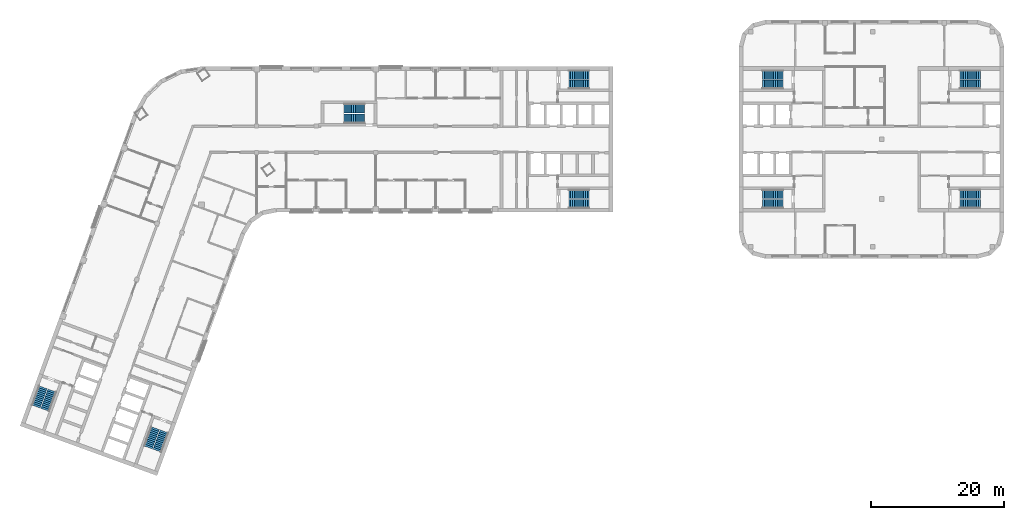
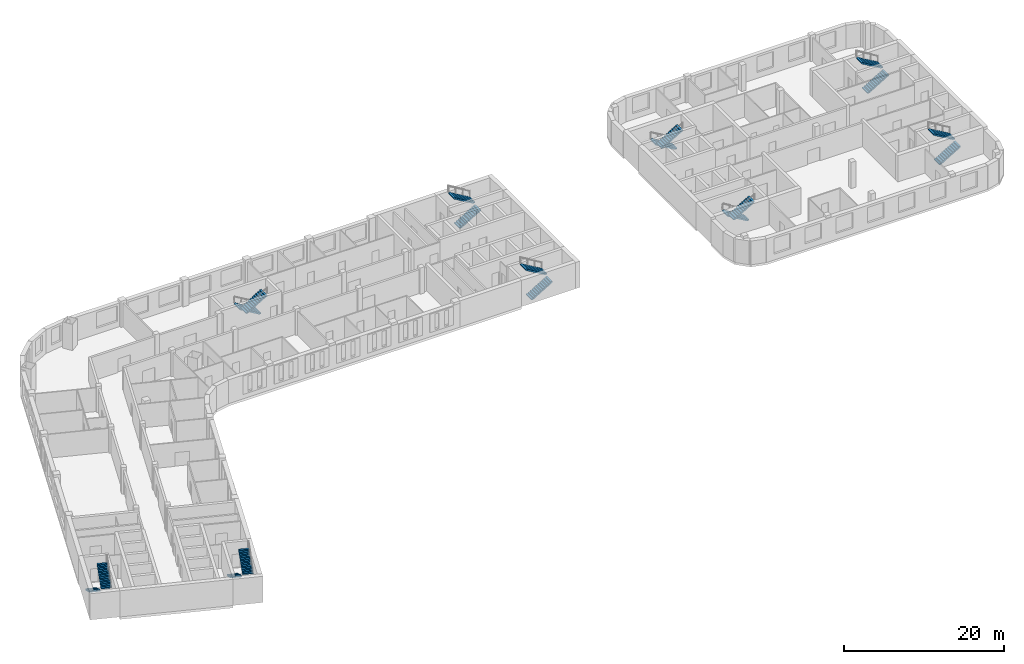
# One storey, part 10 of 12: 18 stair flights, 9 elements without a shape of their own.
"""IFC4 building model written with IfcOpenShell, lengths in metres."""

from ifc_helpers import new_model, si_unit, direction, frame, origin, place, context, subcontext, project, spatial, polyline, outline, extrude, material, type_object, element, aggregate, save


model = new_model("IFC4")

# Units and contexts
model_context = context("Model", 3, precision=1e-05, world=origin(), true_north=direction((0.0, 1.0)))
body_context = subcontext(model_context, "Body", "Model", "MODEL_VIEW")
ifc_project = project(units=[si_unit("LENGTHUNIT", "METRE"), si_unit("AREAUNIT", "SQUARE_METRE"), si_unit("VOLUMEUNIT", "CUBIC_METRE"), si_unit("PLANEANGLEUNIT", "RADIAN"), si_unit("MASSUNIT", "GRAM", prefix="KILO")], contexts=[model_context])

# Site, building, storey
site_placement = place(None, origin())
site = spatial("IfcSite", under=ifc_project, at=site_placement, CompositionType="ELEMENT")
building_placement = place(site_placement, origin())
building = spatial("IfcBuilding", under=site, at=building_placement, Name="Skarvind Civic Tower", CompositionType="ELEMENT")
storey_placement = place(building_placement, frame((0.0, 0.0, 85.0)))
storey = spatial("IfcBuildingStorey", under=building, at=storey_placement, Name="L19", CompositionType="ELEMENT", Elevation=85.0)

# Stair, stair flights
ifc_material = material(Name="Concrete C40/50", Category="concrete")
stair_type_1 = type_object("IfcStairType", Name="Exit stair 1450, half-turn, concrete", PredefinedType="HALF_TURN_STAIR", material=ifc_material)
stair_1_placement = place(storey_placement, origin())
stair_1 = element("IfcStair", 1, at=stair_1_placement, inside=storey, type_object=stair_type_1, Name="Exit stair CM", PredefinedType="HALF_TURN_STAIR")
stair_flight_type_1 = type_object("IfcStairFlightType", Name="Stair flight 1450, concrete", PredefinedType="STRAIGHT", material=ifc_material)
stair_flight_1_placement = place(storey_placement, frame((70.550048828125, 132.675048828125, 0.0), z_axis=(0.0, 0.0, 1.0), x_axis=(-1.0, 0.0, 0.0)))
stair_flight_1 = element("IfcStairFlight", 2, at=stair_flight_1_placement, type_object=stair_flight_type_1, Name="ST-CM flight 1", NumberOfRisers=12, NumberOfTreads=11, PredefinedType="STRAIGHT", RiserHeight=0.166666667, TreadLength=0.28, context=body_context, shape_type="SweptSolid", body=[
    extrude(outline(polyline([(0.0, 0.0), (0.0, 0.166748046875), (0.280029296875, 0.166748046875), (0.280029296875, 0.333251953125), (0.56005859375, 0.333251953125), (0.56005859375, 0.5), (0.840087890625, 0.5), (0.840087890625, 0.666748046875), (1.1201171875, 0.666748046875), (1.1201171875, 0.833251953125), (1.39990234375, 0.833251953125), (1.39990234375, 1.0), (1.679931640625, 1.0), (1.679931640625, 1.166748046875), (1.9599609375, 1.166748046875), (1.9599609375, 1.333251953125), (2.239990234375, 1.333251953125), (2.239990234375, 1.5), (2.52001953125, 1.5), (2.52001953125, 1.666748046875), (2.800048828125, 1.666748046875), (2.800048828125, 1.833251953125), (3.080078125, 1.833251953125), (3.080078125, 2.0), (3.080078125, 1.658935546875), (0.29296875, 0.0), (0.0, 0.0)])), frame((0.0, 0.72509765625, 0.0), z_axis=(0.0, -1.0, 0.0), x_axis=(1.0, 0.0, 0.0)), (0.0, 0.0, 1.0), 1.449951171875),
])
stair_flight_2_placement = place(storey_placement, frame((67.469970703125, 131.125, 2.0), z_axis=(0.0, 0.0, 1.0), x_axis=(1.0, 0.0, 0.0)))
stair_flight_2 = element("IfcStairFlight", 3, at=stair_flight_2_placement, type_object=stair_flight_type_1, Name="ST-CM flight 2", NumberOfRisers=12, NumberOfTreads=11, PredefinedType="STRAIGHT", RiserHeight=0.166666667, TreadLength=0.28, context=body_context, shape_type="SweptSolid", body=[
    extrude(outline(polyline([(0.0, 0.0), (0.0, 0.166748046875), (0.280029296875, 0.166748046875), (0.280029296875, 0.333251953125), (0.56005859375, 0.333251953125), (0.56005859375, 0.5), (0.840087890625, 0.5), (0.840087890625, 0.666748046875), (1.1201171875, 0.666748046875), (1.1201171875, 0.833251953125), (1.39990234375, 0.833251953125), (1.39990234375, 1.0), (1.679931640625, 1.0), (1.679931640625, 1.166748046875), (1.9599609375, 1.166748046875), (1.9599609375, 1.333251953125), (2.239990234375, 1.333251953125), (2.239990234375, 1.5), (2.52001953125, 1.5), (2.52001953125, 1.666748046875), (2.800048828125, 1.666748046875), (2.800048828125, 1.833251953125), (3.080078125, 1.833251953125), (3.080078125, 2.0), (3.080078125, 1.658935546875), (0.29296875, 0.0), (0.0, 0.0)])), frame((0.0, 0.72509765625, 0.0), z_axis=(0.0, -1.0, 0.0), x_axis=(1.0, 0.0, 0.0)), (0.0, 0.0, 1.0), 1.449951171875),
])
aggregate(stair_1, [stair_flight_1, stair_flight_2])

stair_type_2 = type_object("IfcStairType", Name="Exit stair, half-turn, concrete", PredefinedType="HALF_TURN_STAIR", material=ifc_material)
stair_2_placement = place(storey_placement, origin())
stair_2 = element("IfcStair", 4, at=stair_2_placement, inside=storey, type_object=stair_type_2, Name="Exit stair C1S", PredefinedType="HALF_TURN_STAIR")
stair_flight_type_2 = type_object("IfcStairFlightType", Name="Stair flight, concrete", PredefinedType="STRAIGHT", material=ifc_material)
stair_flight_3_placement = place(storey_placement, frame((101.35009765625, 136.27490234375, 0.0), z_axis=(0.0, 0.0, 1.0), x_axis=(1.0, 0.0, 0.0)))
stair_flight_3 = element("IfcStairFlight", 5, at=stair_flight_3_placement, type_object=stair_flight_type_2, Name="ST-C1S flight 1", NumberOfRisers=12, NumberOfTreads=11, PredefinedType="STRAIGHT", RiserHeight=0.166666667, TreadLength=0.28, context=body_context, shape_type="SweptSolid", body=[
    extrude(outline(polyline([(0.0, 0.0), (0.0, 0.166748046875), (0.280029296875, 0.166748046875), (0.280029296875, 0.333251953125), (0.56005859375, 0.333251953125), (0.56005859375, 0.5), (0.840087890625, 0.5), (0.840087890625, 0.666748046875), (1.1201171875, 0.666748046875), (1.1201171875, 0.833251953125), (1.39990234375, 0.833251953125), (1.39990234375, 1.0), (1.679931640625, 1.0), (1.679931640625, 1.166748046875), (1.9599609375, 1.166748046875), (1.9599609375, 1.333251953125), (2.239990234375, 1.333251953125), (2.239990234375, 1.5), (2.52001953125, 1.5), (2.52001953125, 1.666748046875), (2.800048828125, 1.666748046875), (2.800048828125, 1.833251953125), (3.080078125, 1.833251953125), (3.080078125, 2.0), (3.080078125, 1.658935546875), (0.29296875, 0.0), (0.0, 0.0)])), frame((0.0, 0.675048828125, 0.0), z_axis=(0.0, -1.0, 0.0), x_axis=(1.0, 0.0, 0.0)), (0.0, 0.0, 1.0), 1.35009765625),
])
stair_flight_4_placement = place(storey_placement, frame((104.429931640625, 137.72509765625, 2.0), z_axis=(0.0, 0.0, 1.0), x_axis=(-1.0, 0.0, 0.0)))
stair_flight_4 = element("IfcStairFlight", 6, at=stair_flight_4_placement, type_object=stair_flight_type_2, Name="ST-C1S flight 2", NumberOfRisers=12, NumberOfTreads=11, PredefinedType="STRAIGHT", RiserHeight=0.166666667, TreadLength=0.28, context=body_context, shape_type="SweptSolid", body=[
    extrude(outline(polyline([(0.0, 0.0), (0.0, 0.166748046875), (0.280029296875, 0.166748046875), (0.280029296875, 0.333251953125), (0.56005859375, 0.333251953125), (0.56005859375, 0.5), (0.840087890625, 0.5), (0.840087890625, 0.666748046875), (1.1201171875, 0.666748046875), (1.1201171875, 0.833251953125), (1.39990234375, 0.833251953125), (1.39990234375, 1.0), (1.679931640625, 1.0), (1.679931640625, 1.166748046875), (1.9599609375, 1.166748046875), (1.9599609375, 1.333251953125), (2.239990234375, 1.333251953125), (2.239990234375, 1.5), (2.52001953125, 1.5), (2.52001953125, 1.666748046875), (2.800048828125, 1.666748046875), (2.800048828125, 1.833251953125), (3.080078125, 1.833251953125), (3.080078125, 2.0), (3.080078125, 1.658935546875), (0.29296875, 0.0), (0.0, 0.0)])), frame((0.0, 0.675048828125, 0.0), z_axis=(0.0, -1.0, 0.0), x_axis=(1.0, 0.0, 0.0)), (0.0, 0.0, 1.0), 1.35009765625),
])
aggregate(stair_2, [stair_flight_3, stair_flight_4])

stair_3_placement = place(storey_placement, origin())
stair_3 = element("IfcStair", 7, at=stair_3_placement, inside=storey, type_object=stair_type_2, Name="Exit stair C1N", PredefinedType="HALF_TURN_STAIR")
stair_flight_5_placement = place(storey_placement, frame((101.35009765625, 118.27490234375, 0.0), z_axis=(0.0, 0.0, 1.0), x_axis=(1.0, 0.0, 0.0)))
stair_flight_5 = element("IfcStairFlight", 8, at=stair_flight_5_placement, type_object=stair_flight_type_2, Name="ST-C1N flight 1", NumberOfRisers=12, NumberOfTreads=11, PredefinedType="STRAIGHT", RiserHeight=0.166666667, TreadLength=0.28, context=body_context, shape_type="SweptSolid", body=[
    extrude(outline(polyline([(0.0, 0.0), (0.0, 0.166748046875), (0.280029296875, 0.166748046875), (0.280029296875, 0.333251953125), (0.56005859375, 0.333251953125), (0.56005859375, 0.5), (0.840087890625, 0.5), (0.840087890625, 0.666748046875), (1.1201171875, 0.666748046875), (1.1201171875, 0.833251953125), (1.39990234375, 0.833251953125), (1.39990234375, 1.0), (1.679931640625, 1.0), (1.679931640625, 1.166748046875), (1.9599609375, 1.166748046875), (1.9599609375, 1.333251953125), (2.239990234375, 1.333251953125), (2.239990234375, 1.5), (2.52001953125, 1.5), (2.52001953125, 1.666748046875), (2.800048828125, 1.666748046875), (2.800048828125, 1.833251953125), (3.080078125, 1.833251953125), (3.080078125, 2.0), (3.080078125, 1.658935546875), (0.29296875, 0.0), (0.0, 0.0)])), frame((0.0, 0.675048828125, 0.0), z_axis=(0.0, -1.0, 0.0), x_axis=(1.0, 0.0, 0.0)), (0.0, 0.0, 1.0), 1.35009765625),
])
stair_flight_6_placement = place(storey_placement, frame((104.429931640625, 119.72509765625, 2.0), z_axis=(0.0, 0.0, 1.0), x_axis=(-1.0, 0.0, 0.0)))
stair_flight_6 = element("IfcStairFlight", 9, at=stair_flight_6_placement, type_object=stair_flight_type_2, Name="ST-C1N flight 2", NumberOfRisers=12, NumberOfTreads=11, PredefinedType="STRAIGHT", RiserHeight=0.166666667, TreadLength=0.28, context=body_context, shape_type="SweptSolid", body=[
    extrude(outline(polyline([(0.0, 0.0), (0.0, 0.166748046875), (0.280029296875, 0.166748046875), (0.280029296875, 0.333251953125), (0.56005859375, 0.333251953125), (0.56005859375, 0.5), (0.840087890625, 0.5), (0.840087890625, 0.666748046875), (1.1201171875, 0.666748046875), (1.1201171875, 0.833251953125), (1.39990234375, 0.833251953125), (1.39990234375, 1.0), (1.679931640625, 1.0), (1.679931640625, 1.166748046875), (1.9599609375, 1.166748046875), (1.9599609375, 1.333251953125), (2.239990234375, 1.333251953125), (2.239990234375, 1.5), (2.52001953125, 1.5), (2.52001953125, 1.666748046875), (2.800048828125, 1.666748046875), (2.800048828125, 1.833251953125), (3.080078125, 1.833251953125), (3.080078125, 2.0), (3.080078125, 1.658935546875), (0.29296875, 0.0), (0.0, 0.0)])), frame((0.0, 0.675048828125, 0.0), z_axis=(0.0, -1.0, 0.0), x_axis=(1.0, 0.0, 0.0)), (0.0, 0.0, 1.0), 1.35009765625),
])
aggregate(stair_3, [stair_flight_5, stair_flight_6])

stair_4_placement = place(storey_placement, origin())
stair_4 = element("IfcStair", 10, at=stair_4_placement, inside=storey, type_object=stair_type_2, Name="Exit stair C2S", PredefinedType="HALF_TURN_STAIR")
stair_flight_7_placement = place(storey_placement, frame((38.949462890625, 84.43408203125, 0.0), z_axis=(0.0, 0.0, 1.0), x_axis=(-0.342020143326, -0.939692620786, 0.0)))
stair_flight_7 = element("IfcStairFlight", 11, at=stair_flight_7_placement, type_object=stair_flight_type_2, Name="ST-C2S flight 1", NumberOfRisers=12, NumberOfTreads=11, PredefinedType="STRAIGHT", RiserHeight=0.166666667, TreadLength=0.28, context=body_context, shape_type="SweptSolid", body=[
    extrude(outline(polyline([(0.0, 0.0), (0.0, 0.166748046875), (0.280029296875, 0.166748046875), (0.280029296875, 0.333251953125), (0.56005859375, 0.333251953125), (0.56005859375, 0.5), (0.840087890625, 0.5), (0.840087890625, 0.666748046875), (1.1201171875, 0.666748046875), (1.1201171875, 0.833251953125), (1.39990234375, 0.833251953125), (1.39990234375, 1.0), (1.679931640625, 1.0), (1.679931640625, 1.166748046875), (1.9599609375, 1.166748046875), (1.9599609375, 1.333251953125), (2.239990234375, 1.333251953125), (2.239990234375, 1.5), (2.52001953125, 1.5), (2.52001953125, 1.666748046875), (2.800048828125, 1.666748046875), (2.800048828125, 1.833251953125), (3.080078125, 1.833251953125), (3.080078125, 2.0), (3.080078125, 1.658935546875), (0.29296875, 0.0), (0.0, 0.0)])), frame((0.0, 0.675048828125, 0.0), z_axis=(0.0, -1.0, 0.0), x_axis=(1.0, 0.0, 0.0)), (0.0, 0.0, 1.0), 1.35009765625),
])
stair_flight_8_placement = place(storey_placement, frame((39.258544921875, 81.0439453125, 2.0), z_axis=(0.0, 0.0, 1.0), x_axis=(0.342020143326, 0.939692620786, 0.0)))
stair_flight_8 = element("IfcStairFlight", 12, at=stair_flight_8_placement, type_object=stair_flight_type_2, Name="ST-C2S flight 2", NumberOfRisers=12, NumberOfTreads=11, PredefinedType="STRAIGHT", RiserHeight=0.166666667, TreadLength=0.28, context=body_context, shape_type="SweptSolid", body=[
    extrude(outline(polyline([(0.0, 0.0), (0.0, 0.166748046875), (0.280029296875, 0.166748046875), (0.280029296875, 0.333251953125), (0.56005859375, 0.333251953125), (0.56005859375, 0.5), (0.840087890625, 0.5), (0.840087890625, 0.666748046875), (1.1201171875, 0.666748046875), (1.1201171875, 0.833251953125), (1.39990234375, 0.833251953125), (1.39990234375, 1.0), (1.679931640625, 1.0), (1.679931640625, 1.166748046875), (1.9599609375, 1.166748046875), (1.9599609375, 1.333251953125), (2.239990234375, 1.333251953125), (2.239990234375, 1.5), (2.52001953125, 1.5), (2.52001953125, 1.666748046875), (2.800048828125, 1.666748046875), (2.800048828125, 1.833251953125), (3.080078125, 1.833251953125), (3.080078125, 2.0), (3.080078125, 1.658935546875), (0.29296875, 0.0), (0.0, 0.0)])), frame((0.0, 0.675048828125, 0.0), z_axis=(0.0, -1.0, 0.0), x_axis=(1.0, 0.0, 0.0)), (0.0, 0.0, 1.0), 1.35009765625),
])
aggregate(stair_4, [stair_flight_7, stair_flight_8])

stair_5_placement = place(storey_placement, origin())
stair_5 = element("IfcStair", 13, at=stair_5_placement, inside=storey, type_object=stair_type_2, Name="Exit stair C2N", PredefinedType="HALF_TURN_STAIR")
stair_flight_9_placement = place(storey_placement, frame((22.034912109375, 90.590576171875, 0.0), z_axis=(0.0, 0.0, 1.0), x_axis=(-0.342020143326, -0.939692620786, 0.0)))
stair_flight_9 = element("IfcStairFlight", 14, at=stair_flight_9_placement, type_object=stair_flight_type_2, Name="ST-C2N flight 1", NumberOfRisers=12, NumberOfTreads=11, PredefinedType="STRAIGHT", RiserHeight=0.166666667, TreadLength=0.28, context=body_context, shape_type="SweptSolid", body=[
    extrude(outline(polyline([(0.0, 0.0), (0.0, 0.166748046875), (0.280029296875, 0.166748046875), (0.280029296875, 0.333251953125), (0.56005859375, 0.333251953125), (0.56005859375, 0.5), (0.840087890625, 0.5), (0.840087890625, 0.666748046875), (1.1201171875, 0.666748046875), (1.1201171875, 0.833251953125), (1.39990234375, 0.833251953125), (1.39990234375, 1.0), (1.679931640625, 1.0), (1.679931640625, 1.166748046875), (1.9599609375, 1.166748046875), (1.9599609375, 1.333251953125), (2.239990234375, 1.333251953125), (2.239990234375, 1.5), (2.52001953125, 1.5), (2.52001953125, 1.666748046875), (2.800048828125, 1.666748046875), (2.800048828125, 1.833251953125), (3.080078125, 1.833251953125), (3.080078125, 2.0), (3.080078125, 1.658935546875), (0.29296875, 0.0), (0.0, 0.0)])), frame((0.0, 0.675048828125, 0.0), z_axis=(0.0, -1.0, 0.0), x_axis=(1.0, 0.0, 0.0)), (0.0, 0.0, 1.0), 1.35009765625),
])
stair_flight_10_placement = place(storey_placement, frame((22.343994140625, 87.2001953125, 2.0), z_axis=(0.0, 0.0, 1.0), x_axis=(0.342020143326, 0.939692620786, 0.0)))
stair_flight_10 = element("IfcStairFlight", 15, at=stair_flight_10_placement, type_object=stair_flight_type_2, Name="ST-C2N flight 2", NumberOfRisers=12, NumberOfTreads=11, PredefinedType="STRAIGHT", RiserHeight=0.166666667, TreadLength=0.28, context=body_context, shape_type="SweptSolid", body=[
    extrude(outline(polyline([(0.0, 0.0), (0.0, 0.166748046875), (0.280029296875, 0.166748046875), (0.280029296875, 0.333251953125), (0.56005859375, 0.333251953125), (0.56005859375, 0.5), (0.840087890625, 0.5), (0.840087890625, 0.666748046875), (1.1201171875, 0.666748046875), (1.1201171875, 0.833251953125), (1.39990234375, 0.833251953125), (1.39990234375, 1.0), (1.679931640625, 1.0), (1.679931640625, 1.166748046875), (1.9599609375, 1.166748046875), (1.9599609375, 1.333251953125), (2.239990234375, 1.333251953125), (2.239990234375, 1.5), (2.52001953125, 1.5), (2.52001953125, 1.666748046875), (2.800048828125, 1.666748046875), (2.800048828125, 1.833251953125), (3.080078125, 1.833251953125), (3.080078125, 2.0), (3.080078125, 1.658935546875), (0.29296875, 0.0), (0.0, 0.0)])), frame((0.0, 0.675048828125, 0.0), z_axis=(0.0, -1.0, 0.0), x_axis=(1.0, 0.0, 0.0)), (0.0, 0.0, 1.0), 1.35009765625),
])
aggregate(stair_5, [stair_flight_9, stair_flight_10])

stair_6_placement = place(storey_placement, origin())
stair_6 = element("IfcStair", 16, at=stair_6_placement, inside=storey, type_object=stair_type_2, Name="Exit stair CAS", PredefinedType="HALF_TURN_STAIR")
stair_flight_11_placement = place(storey_placement, frame((133.64990234375, 119.72509765625, 0.0), z_axis=(0.0, 0.0, 1.0), x_axis=(-1.0, 0.0, 0.0)))
stair_flight_11 = element("IfcStairFlight", 17, at=stair_flight_11_placement, type_object=stair_flight_type_2, Name="ST-CAS flight 1", NumberOfRisers=12, NumberOfTreads=11, PredefinedType="STRAIGHT", RiserHeight=0.166666667, TreadLength=0.28, context=body_context, shape_type="SweptSolid", body=[
    extrude(outline(polyline([(0.0, 0.0), (0.0, 0.166748046875), (0.280029296875, 0.166748046875), (0.280029296875, 0.333251953125), (0.56005859375, 0.333251953125), (0.56005859375, 0.5), (0.840087890625, 0.5), (0.840087890625, 0.666748046875), (1.1201171875, 0.666748046875), (1.1201171875, 0.833251953125), (1.39990234375, 0.833251953125), (1.39990234375, 1.0), (1.679931640625, 1.0), (1.679931640625, 1.166748046875), (1.9599609375, 1.166748046875), (1.9599609375, 1.333251953125), (2.239990234375, 1.333251953125), (2.239990234375, 1.5), (2.52001953125, 1.5), (2.52001953125, 1.666748046875), (2.800048828125, 1.666748046875), (2.800048828125, 1.833251953125), (3.080078125, 1.833251953125), (3.080078125, 2.0), (3.080078125, 1.658935546875), (0.29296875, 0.0), (0.0, 0.0)])), frame((0.0, 0.675048828125, 0.0), z_axis=(0.0, -1.0, 0.0), x_axis=(1.0, 0.0, 0.0)), (0.0, 0.0, 1.0), 1.35009765625),
])
stair_flight_12_placement = place(storey_placement, frame((130.570068359375, 118.27490234375, 2.0), z_axis=(0.0, 0.0, 1.0), x_axis=(1.0, 0.0, 0.0)))
stair_flight_12 = element("IfcStairFlight", 18, at=stair_flight_12_placement, type_object=stair_flight_type_2, Name="ST-CAS flight 2", NumberOfRisers=12, NumberOfTreads=11, PredefinedType="STRAIGHT", RiserHeight=0.166666667, TreadLength=0.28, context=body_context, shape_type="SweptSolid", body=[
    extrude(outline(polyline([(0.0, 0.0), (0.0, 0.166748046875), (0.280029296875, 0.166748046875), (0.280029296875, 0.333251953125), (0.56005859375, 0.333251953125), (0.56005859375, 0.5), (0.840087890625, 0.5), (0.840087890625, 0.666748046875), (1.1201171875, 0.666748046875), (1.1201171875, 0.833251953125), (1.39990234375, 0.833251953125), (1.39990234375, 1.0), (1.679931640625, 1.0), (1.679931640625, 1.166748046875), (1.9599609375, 1.166748046875), (1.9599609375, 1.333251953125), (2.239990234375, 1.333251953125), (2.239990234375, 1.5), (2.52001953125, 1.5), (2.52001953125, 1.666748046875), (2.800048828125, 1.666748046875), (2.800048828125, 1.833251953125), (3.080078125, 1.833251953125), (3.080078125, 2.0), (3.080078125, 1.658935546875), (0.29296875, 0.0), (0.0, 0.0)])), frame((0.0, 0.675048828125, 0.0), z_axis=(0.0, -1.0, 0.0), x_axis=(1.0, 0.0, 0.0)), (0.0, 0.0, 1.0), 1.35009765625),
])
aggregate(stair_6, [stair_flight_11, stair_flight_12])

stair_7_placement = place(storey_placement, origin())
stair_7 = element("IfcStair", 19, at=stair_7_placement, inside=storey, type_object=stair_type_2, Name="Exit stair CAN", PredefinedType="HALF_TURN_STAIR")
stair_flight_13_placement = place(storey_placement, frame((133.64990234375, 137.72509765625, 0.0), z_axis=(0.0, 0.0, 1.0), x_axis=(-1.0, 0.0, 0.0)))
stair_flight_13 = element("IfcStairFlight", 20, at=stair_flight_13_placement, type_object=stair_flight_type_2, Name="ST-CAN flight 1", NumberOfRisers=12, NumberOfTreads=11, PredefinedType="STRAIGHT", RiserHeight=0.166666667, TreadLength=0.28, context=body_context, shape_type="SweptSolid", body=[
    extrude(outline(polyline([(0.0, 0.0), (0.0, 0.166748046875), (0.280029296875, 0.166748046875), (0.280029296875, 0.333251953125), (0.56005859375, 0.333251953125), (0.56005859375, 0.5), (0.840087890625, 0.5), (0.840087890625, 0.666748046875), (1.1201171875, 0.666748046875), (1.1201171875, 0.833251953125), (1.39990234375, 0.833251953125), (1.39990234375, 1.0), (1.679931640625, 1.0), (1.679931640625, 1.166748046875), (1.9599609375, 1.166748046875), (1.9599609375, 1.333251953125), (2.239990234375, 1.333251953125), (2.239990234375, 1.5), (2.52001953125, 1.5), (2.52001953125, 1.666748046875), (2.800048828125, 1.666748046875), (2.800048828125, 1.833251953125), (3.080078125, 1.833251953125), (3.080078125, 2.0), (3.080078125, 1.658935546875), (0.29296875, 0.0), (0.0, 0.0)])), frame((0.0, 0.675048828125, 0.0), z_axis=(0.0, -1.0, 0.0), x_axis=(1.0, 0.0, 0.0)), (0.0, 0.0, 1.0), 1.35009765625),
])
stair_flight_14_placement = place(storey_placement, frame((130.570068359375, 136.27490234375, 2.0), z_axis=(0.0, 0.0, 1.0), x_axis=(1.0, 0.0, 0.0)))
stair_flight_14 = element("IfcStairFlight", 21, at=stair_flight_14_placement, type_object=stair_flight_type_2, Name="ST-CAN flight 2", NumberOfRisers=12, NumberOfTreads=11, PredefinedType="STRAIGHT", RiserHeight=0.166666667, TreadLength=0.28, context=body_context, shape_type="SweptSolid", body=[
    extrude(outline(polyline([(0.0, 0.0), (0.0, 0.166748046875), (0.280029296875, 0.166748046875), (0.280029296875, 0.333251953125), (0.56005859375, 0.333251953125), (0.56005859375, 0.5), (0.840087890625, 0.5), (0.840087890625, 0.666748046875), (1.1201171875, 0.666748046875), (1.1201171875, 0.833251953125), (1.39990234375, 0.833251953125), (1.39990234375, 1.0), (1.679931640625, 1.0), (1.679931640625, 1.166748046875), (1.9599609375, 1.166748046875), (1.9599609375, 1.333251953125), (2.239990234375, 1.333251953125), (2.239990234375, 1.5), (2.52001953125, 1.5), (2.52001953125, 1.666748046875), (2.800048828125, 1.666748046875), (2.800048828125, 1.833251953125), (3.080078125, 1.833251953125), (3.080078125, 2.0), (3.080078125, 1.658935546875), (0.29296875, 0.0), (0.0, 0.0)])), frame((0.0, 0.675048828125, 0.0), z_axis=(0.0, -1.0, 0.0), x_axis=(1.0, 0.0, 0.0)), (0.0, 0.0, 1.0), 1.35009765625),
])
aggregate(stair_7, [stair_flight_13, stair_flight_14])

stair_8_placement = place(storey_placement, origin())
stair_8 = element("IfcStair", 22, at=stair_8_placement, inside=storey, type_object=stair_type_2, Name="Exit stair CBS", PredefinedType="HALF_TURN_STAIR")
stair_flight_15_placement = place(storey_placement, frame((160.35009765625, 136.27490234375, 0.0), z_axis=(0.0, 0.0, 1.0), x_axis=(1.0, 0.0, 0.0)))
stair_flight_15 = element("IfcStairFlight", 23, at=stair_flight_15_placement, type_object=stair_flight_type_2, Name="ST-CBS flight 1", NumberOfRisers=12, NumberOfTreads=11, PredefinedType="STRAIGHT", RiserHeight=0.166666667, TreadLength=0.28, context=body_context, shape_type="SweptSolid", body=[
    extrude(outline(polyline([(0.0, 0.0), (0.0, 0.166748046875), (0.280029296875, 0.166748046875), (0.280029296875, 0.333251953125), (0.56005859375, 0.333251953125), (0.56005859375, 0.5), (0.840087890625, 0.5), (0.840087890625, 0.666748046875), (1.1201171875, 0.666748046875), (1.1201171875, 0.833251953125), (1.39990234375, 0.833251953125), (1.39990234375, 1.0), (1.679931640625, 1.0), (1.679931640625, 1.166748046875), (1.9599609375, 1.166748046875), (1.9599609375, 1.333251953125), (2.239990234375, 1.333251953125), (2.239990234375, 1.5), (2.52001953125, 1.5), (2.52001953125, 1.666748046875), (2.800048828125, 1.666748046875), (2.800048828125, 1.833251953125), (3.080078125, 1.833251953125), (3.080078125, 2.0), (3.080078125, 1.658935546875), (0.29296875, 0.0), (0.0, 0.0)])), frame((0.0, 0.675048828125, 0.0), z_axis=(0.0, -1.0, 0.0), x_axis=(1.0, 0.0, 0.0)), (0.0, 0.0, 1.0), 1.35009765625),
])
stair_flight_16_placement = place(storey_placement, frame((163.429931640625, 137.72509765625, 2.0), z_axis=(0.0, 0.0, 1.0), x_axis=(-1.0, 0.0, 0.0)))
stair_flight_16 = element("IfcStairFlight", 24, at=stair_flight_16_placement, type_object=stair_flight_type_2, Name="ST-CBS flight 2", NumberOfRisers=12, NumberOfTreads=11, PredefinedType="STRAIGHT", RiserHeight=0.166666667, TreadLength=0.28, context=body_context, shape_type="SweptSolid", body=[
    extrude(outline(polyline([(0.0, 0.0), (0.0, 0.166748046875), (0.280029296875, 0.166748046875), (0.280029296875, 0.333251953125), (0.56005859375, 0.333251953125), (0.56005859375, 0.5), (0.840087890625, 0.5), (0.840087890625, 0.666748046875), (1.1201171875, 0.666748046875), (1.1201171875, 0.833251953125), (1.39990234375, 0.833251953125), (1.39990234375, 1.0), (1.679931640625, 1.0), (1.679931640625, 1.166748046875), (1.9599609375, 1.166748046875), (1.9599609375, 1.333251953125), (2.239990234375, 1.333251953125), (2.239990234375, 1.5), (2.52001953125, 1.5), (2.52001953125, 1.666748046875), (2.800048828125, 1.666748046875), (2.800048828125, 1.833251953125), (3.080078125, 1.833251953125), (3.080078125, 2.0), (3.080078125, 1.658935546875), (0.29296875, 0.0), (0.0, 0.0)])), frame((0.0, 0.675048828125, 0.0), z_axis=(0.0, -1.0, 0.0), x_axis=(1.0, 0.0, 0.0)), (0.0, 0.0, 1.0), 1.35009765625),
])
aggregate(stair_8, [stair_flight_15, stair_flight_16])

stair_9_placement = place(storey_placement, origin())
stair_9 = element("IfcStair", 25, at=stair_9_placement, inside=storey, type_object=stair_type_2, Name="Exit stair CBN", PredefinedType="HALF_TURN_STAIR")
stair_flight_17_placement = place(storey_placement, frame((160.35009765625, 118.27490234375, 0.0), z_axis=(0.0, 0.0, 1.0), x_axis=(1.0, 0.0, 0.0)))
stair_flight_17 = element("IfcStairFlight", 26, at=stair_flight_17_placement, type_object=stair_flight_type_2, Name="ST-CBN flight 1", NumberOfRisers=12, NumberOfTreads=11, PredefinedType="STRAIGHT", RiserHeight=0.166666667, TreadLength=0.28, context=body_context, shape_type="SweptSolid", body=[
    extrude(outline(polyline([(0.0, 0.0), (0.0, 0.166748046875), (0.280029296875, 0.166748046875), (0.280029296875, 0.333251953125), (0.56005859375, 0.333251953125), (0.56005859375, 0.5), (0.840087890625, 0.5), (0.840087890625, 0.666748046875), (1.1201171875, 0.666748046875), (1.1201171875, 0.833251953125), (1.39990234375, 0.833251953125), (1.39990234375, 1.0), (1.679931640625, 1.0), (1.679931640625, 1.166748046875), (1.9599609375, 1.166748046875), (1.9599609375, 1.333251953125), (2.239990234375, 1.333251953125), (2.239990234375, 1.5), (2.52001953125, 1.5), (2.52001953125, 1.666748046875), (2.800048828125, 1.666748046875), (2.800048828125, 1.833251953125), (3.080078125, 1.833251953125), (3.080078125, 2.0), (3.080078125, 1.658935546875), (0.29296875, 0.0), (0.0, 0.0)])), frame((0.0, 0.675048828125, 0.0), z_axis=(0.0, -1.0, 0.0), x_axis=(1.0, 0.0, 0.0)), (0.0, 0.0, 1.0), 1.35009765625),
])
stair_flight_18_placement = place(storey_placement, frame((163.429931640625, 119.72509765625, 2.0), z_axis=(0.0, 0.0, 1.0), x_axis=(-1.0, 0.0, 0.0)))
stair_flight_18 = element("IfcStairFlight", 27, at=stair_flight_18_placement, type_object=stair_flight_type_2, Name="ST-CBN flight 2", NumberOfRisers=12, NumberOfTreads=11, PredefinedType="STRAIGHT", RiserHeight=0.166666667, TreadLength=0.28, context=body_context, shape_type="SweptSolid", body=[
    extrude(outline(polyline([(0.0, 0.0), (0.0, 0.166748046875), (0.280029296875, 0.166748046875), (0.280029296875, 0.333251953125), (0.56005859375, 0.333251953125), (0.56005859375, 0.5), (0.840087890625, 0.5), (0.840087890625, 0.666748046875), (1.1201171875, 0.666748046875), (1.1201171875, 0.833251953125), (1.39990234375, 0.833251953125), (1.39990234375, 1.0), (1.679931640625, 1.0), (1.679931640625, 1.166748046875), (1.9599609375, 1.166748046875), (1.9599609375, 1.333251953125), (2.239990234375, 1.333251953125), (2.239990234375, 1.5), (2.52001953125, 1.5), (2.52001953125, 1.666748046875), (2.800048828125, 1.666748046875), (2.800048828125, 1.833251953125), (3.080078125, 1.833251953125), (3.080078125, 2.0), (3.080078125, 1.658935546875), (0.29296875, 0.0), (0.0, 0.0)])), frame((0.0, 0.675048828125, 0.0), z_axis=(0.0, -1.0, 0.0), x_axis=(1.0, 0.0, 0.0)), (0.0, 0.0, 1.0), 1.35009765625),
])
aggregate(stair_9, [stair_flight_17, stair_flight_18])

save(model, "model.ifc")
